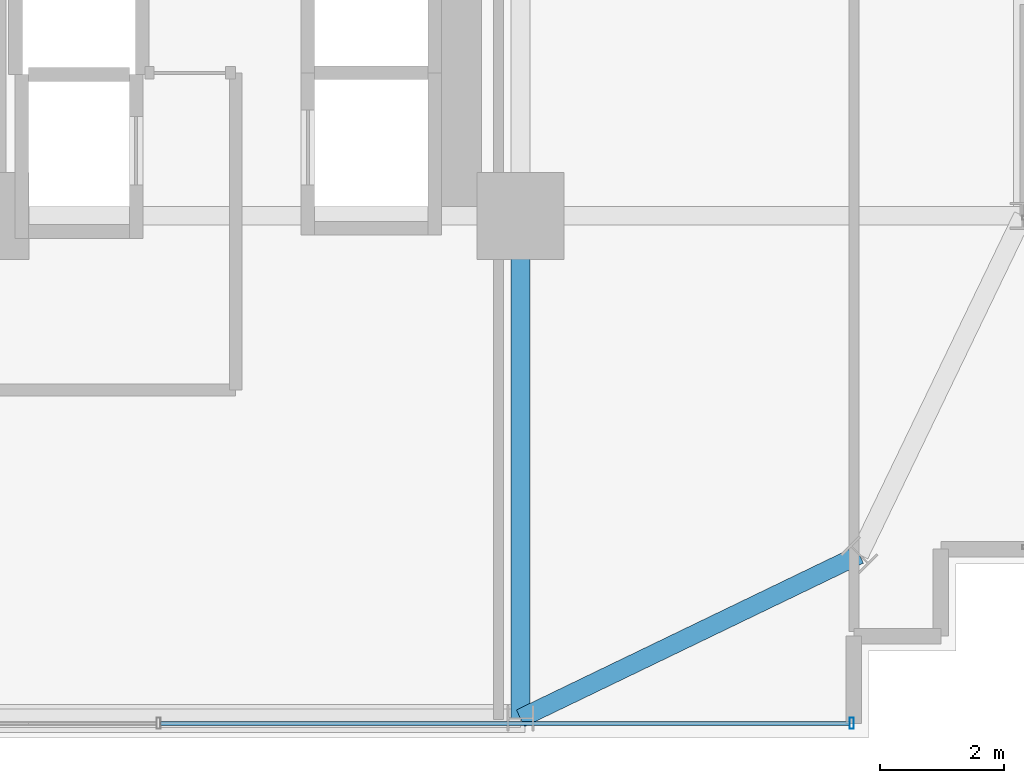
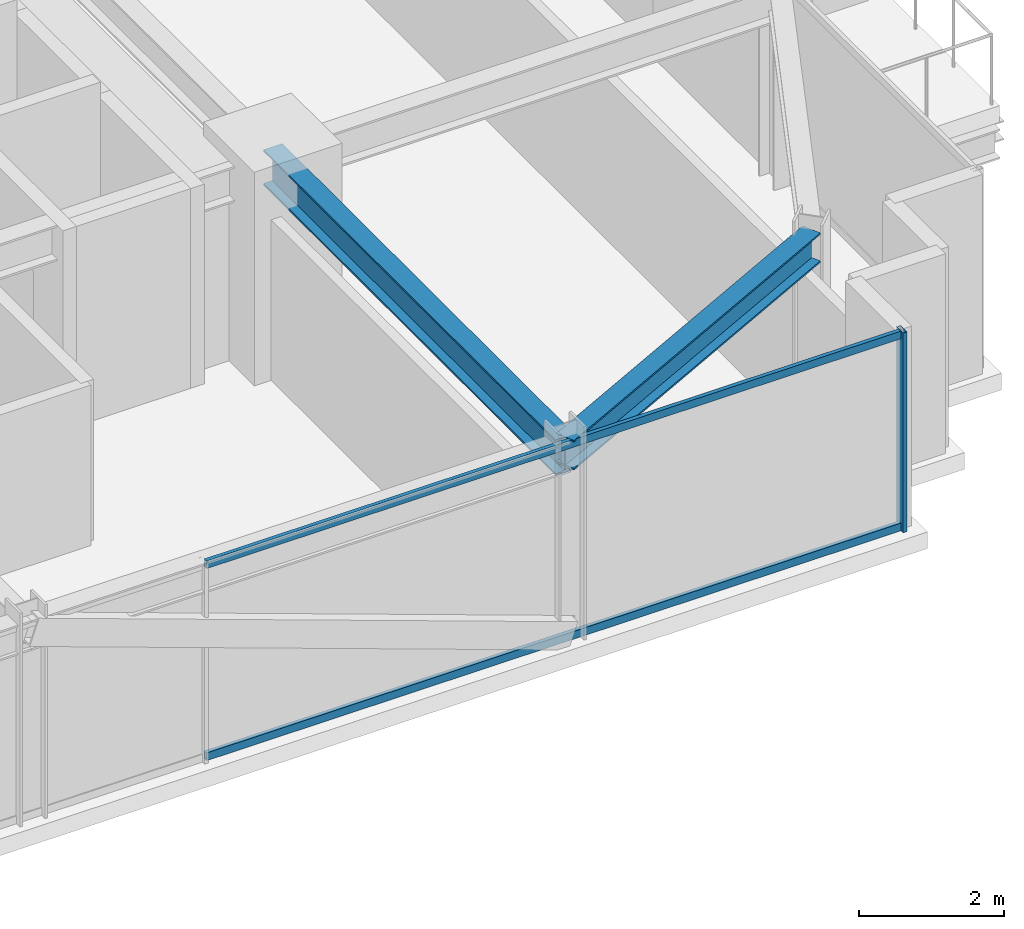
# One storey, part 13 of 35: 3 members, 2 beams, 1 element without a shape of its own.
"""IFC4 building model written with IfcOpenShell, lengths in metres."""

from ifc_helpers import new_model, si_unit, direction, frame, origin, origin_2d, place, context, subcontext, project, spatial, hollow_rectangle, i_section, extrude, source, transform, mapped, material, material_profile, profile_set, type_object, element, aggregate, save


model = new_model("IFC4")

# Units and contexts
model_context = context("Model", 3, precision=1e-05, world=origin(), true_north=direction((0.0, 1.0)))
body_context = subcontext(model_context, "Body", "Model", "MODEL_VIEW")
ifc_project = project(units=[si_unit("LENGTHUNIT", "METRE"), si_unit("AREAUNIT", "SQUARE_METRE"), si_unit("VOLUMEUNIT", "CUBIC_METRE"), si_unit("PLANEANGLEUNIT", "RADIAN"), si_unit("MASSUNIT", "GRAM", prefix="KILO")], contexts=[model_context])

# Site, building, storey
site_placement = place(None, origin())
site = spatial("IfcSite", under=ifc_project, at=site_placement, CompositionType="ELEMENT")
building_placement = place(site_placement, origin())
building = spatial("IfcBuilding", under=site, at=building_placement, Name="Nahalor Promenade Grand Hotel", CompositionType="ELEMENT")
storey_placement = place(building_placement, frame((0.0, 0.0, 39.699951171875)))
storey = spatial("IfcBuildingStorey", under=building, at=storey_placement, Name="L08", CompositionType="ELEMENT", Elevation=39.699951171875)

# Beams
ifc_material_1 = material(Name="Steel S355JR", Category="steel")
ifc_material_profile_1 = material_profile(ifc_material_1, i_section(OverallWidth=0.3, OverallDepth=0.6, WebThickness=0.0155, FlangeThickness=0.03, at=origin_2d()), Name="HEB 600")
ifc_profile_set_1 = profile_set([ifc_material_profile_1], Name="Steel S355JR")
beam_type_1 = type_object("IfcBeamType", Name="Beam-Girder-HEB600", PredefinedType="BEAM", material=ifc_profile_set_1)
shared_shape_1 = source(origin(), body_context, "Body", "SweptSolid", [
    extrude(i_section(OverallWidth=0.3, OverallDepth=0.6, WebThickness=0.0155, FlangeThickness=0.03, at=origin_2d()), origin(), (0.0, 0.0, 1.0), 8.080078125),
])
beam_1_placement = place(storey_placement, frame((17.0, -25.080078125, 3.070068359375), z_axis=(0.0, 1.0, 0.0), x_axis=(-1.0, 0.0, 0.0)))
element("IfcBeam", 1, at=beam_1_placement, inside=storey, type_object=beam_type_1, Name="BM-L08-GY-5-0", PredefinedType="BEAM", context=body_context, shape_type="MappedRepresentation", body=[
    mapped(shared_shape_1, transform((0.0, 0.0, 0.0), scale=1.0)),
])
ifc_material_profile_2 = material_profile(ifc_material_1, i_section(OverallWidth=0.3, OverallDepth=0.5, WebThickness=0.0145, FlangeThickness=0.028, at=origin_2d()), Name="HEB 500")
ifc_profile_set_2 = profile_set([ifc_material_profile_2], Name="Steel S355JR")
beam_type_2 = type_object("IfcBeamType", Name="Beam-Spandrel-HEB500", PredefinedType="SPANDREL", material=ifc_profile_set_2)
shared_shape_2 = source(origin(), body_context, "Body", "SweptSolid", [
    extrude(i_section(OverallWidth=0.3, OverallDepth=0.5, WebThickness=0.0145, FlangeThickness=0.028, at=origin_2d()), origin(), (0.0, 0.0, 1.0), 6.051513671875),
])
beam_2_placement = place(storey_placement, frame((17.0, -25.080078125, 3.1201171875), z_axis=(0.900608818852, 0.434630596492, 0.0), x_axis=(-0.434630596492, 0.900608818852, 0.0)))
element("IfcBeam", 2, at=beam_2_placement, inside=storey, type_object=beam_type_2, Name="BM-L08-SPC-SE-1", PredefinedType="SPANDREL", context=body_context, shape_type="MappedRepresentation", body=[
    mapped(shared_shape_2, transform((0.0, 0.0, 0.0), scale=1.0)),
])

# Curtain wall, members
ifc_material_2 = material(Name="Anodised Bronze Aluminium EN AW-6063 T6", Category="aluminium")
curtain_wall_type = type_object("IfcCurtainWallType", Name="CW2 Typical Hotel Flush Bronze Unitised Curtain Wall", PredefinedType="USERDEFINED", material=ifc_material_2)
curtain_wall_placement = place(storey_placement, origin())
curtain_wall = element("IfcCurtainWall", 3, at=curtain_wall_placement, inside=storey, type_object=curtain_wall_type, Name="L08 Curtain Wall CW-L08-S-1", ObjectType="UNITISED_CURTAIN_WALL", PredefinedType="USERDEFINED")
ifc_material_profile_3 = material_profile(ifc_material_2, hollow_rectangle(XDim=0.065, YDim=0.18, WallThickness=0.004, at=origin_2d()), Name="CWM 65x180x4")
ifc_profile_set_3 = profile_set([ifc_material_profile_3], Name="Anodised Bronze Aluminium EN AW-6063 T6")
member_type_1 = type_object("IfcMemberType", Name="CWM2 Typical Bronze Mullion 65x180", PredefinedType="MULLION", material=ifc_profile_set_3)
shared_shape_3 = source(origin(), body_context, "Body", "SweptSolid", [
    extrude(hollow_rectangle(XDim=0.065, YDim=0.18, WallThickness=0.004, at=origin_2d()), origin(), (0.0, 0.0, 1.0), 3.3701171875),
])
member_1_placement = place(storey_placement, frame((22.327392578125, -25.159912109375, 0.0), z_axis=(0.0, 0.0, 1.0), x_axis=(1.0, 0.0, 0.0)))
member_1 = element("IfcMember", 4, at=member_1_placement, type_object=member_type_1, Name="CW-L08-S-1 Mullion 4", PredefinedType="MULLION", context=body_context, shape_type="MappedRepresentation", body=[
    mapped(shared_shape_3, transform((0.0, 0.0, 0.0), scale=1.0)),
])
ifc_material_profile_4 = material_profile(ifc_material_2, hollow_rectangle(XDim=0.065, YDim=0.13, WallThickness=0.004, at=origin_2d()), Name="CWT 65x130x4")
ifc_profile_set_4 = profile_set([ifc_material_profile_4], Name="Anodised Bronze Aluminium EN AW-6063 T6")
member_type_2 = type_object("IfcMemberType", Name="CWT2 Typical Bronze Transom 65x130", PredefinedType="USERDEFINED", material=ifc_profile_set_4)
shared_shape_4 = source(origin(), body_context, "Body", "SweptSolid", [
    extrude(hollow_rectangle(XDim=0.065, YDim=0.13, WallThickness=0.004, at=origin_2d()), origin(), (0.0, 0.0, 1.0), 11.08251953125),
])
member_2_placement = place(storey_placement, frame((11.21240234375, -25.159912109375, 0.06494140625), z_axis=(1.0, 0.0, 0.0), x_axis=(0.0, 1.0, 0.0)))
member_2 = element("IfcMember", 5, at=member_2_placement, type_object=member_type_2, Name="CW-L08-S-1 Transom 3-0", ObjectType="TRANSOM", PredefinedType="USERDEFINED", context=body_context, shape_type="MappedRepresentation", body=[
    mapped(shared_shape_4, transform((0.0, 0.0, 0.0), scale=1.0)),
])
member_3_placement = place(storey_placement, frame((11.21240234375, -25.159912109375, 3.304931640625), z_axis=(1.0, 0.0, 0.0), x_axis=(0.0, 1.0, 0.0)))
member_3 = element("IfcMember", 6, at=member_3_placement, type_object=member_type_2, Name="CW-L08-S-1 Transom 3-1", ObjectType="TRANSOM", PredefinedType="USERDEFINED", context=body_context, shape_type="MappedRepresentation", body=[
    mapped(shared_shape_4, transform((0.0, 0.0, 0.0), scale=1.0)),
])
aggregate(curtain_wall, [member_1, member_2, member_3])

save(model, "model.ifc")
